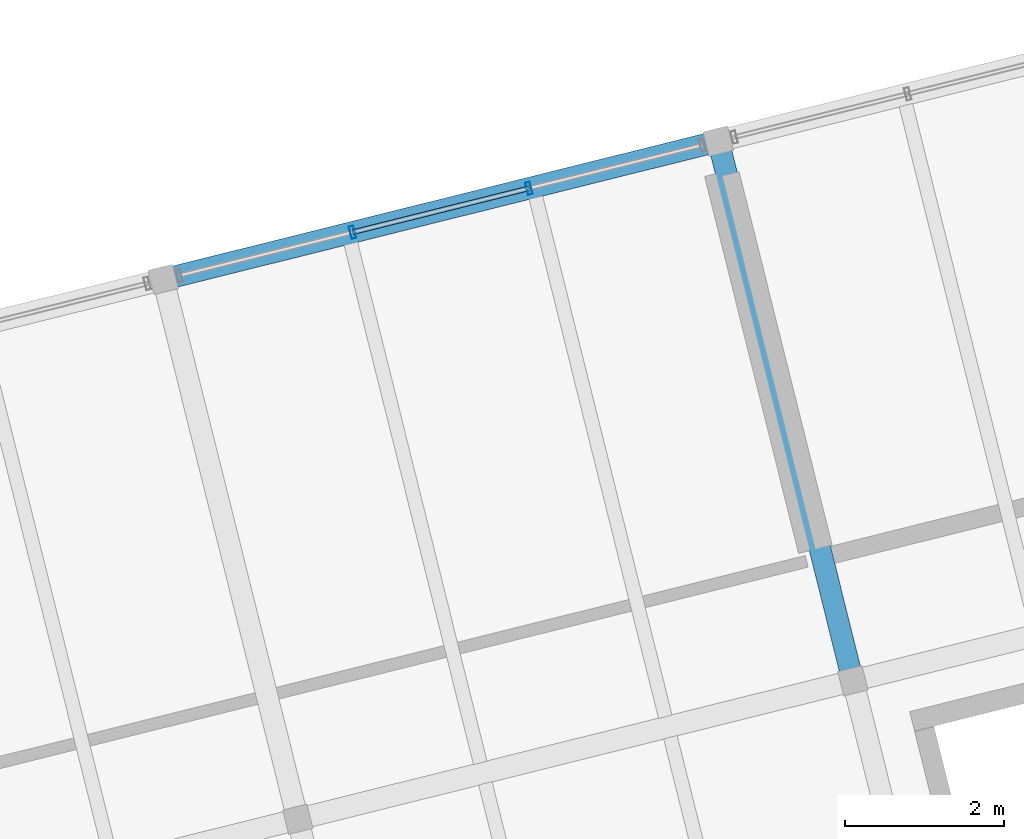
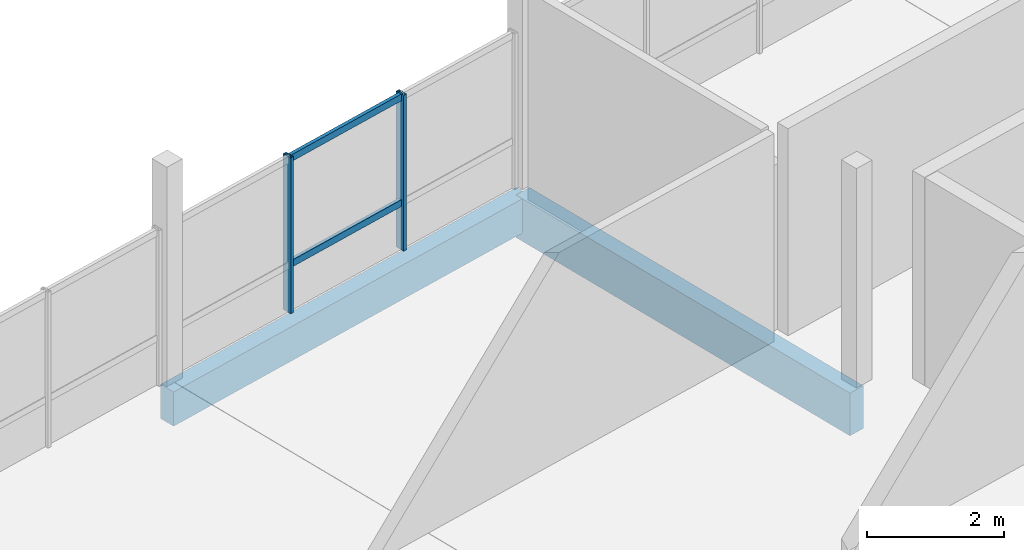
# One storey, part 14 of 25: 4 members, 2 beams, 1 element without a shape of its own.
"""IFC4 building model written with IfcOpenShell, lengths in metres."""

from ifc_helpers import new_model, si_unit, direction, frame, origin, origin_2d, place, context, subcontext, project, spatial, rectangle, hollow_rectangle, extrude, material, layer, layer_set, material_profile, profile_set, type_object, element, aggregate, save


model = new_model("IFC4")

# Units and contexts
model_context = context("Model", 3, precision=1e-05, world=origin(), true_north=direction((0.0, 1.0)))
body_context = subcontext(model_context, "Body", "Model", "MODEL_VIEW")
ifc_project = project(units=[si_unit("LENGTHUNIT", "METRE"), si_unit("AREAUNIT", "SQUARE_METRE"), si_unit("VOLUMEUNIT", "CUBIC_METRE"), si_unit("PLANEANGLEUNIT", "RADIAN"), si_unit("MASSUNIT", "GRAM", prefix="KILO")], contexts=[model_context])

# Site, building, storey
site_placement = place(None, origin())
site = spatial("IfcSite", under=ifc_project, at=site_placement, CompositionType="ELEMENT")
building_placement = place(site_placement, origin())
building = spatial("IfcBuilding", under=site, at=building_placement, Name="Meriwether Solvik Hall", CompositionType="ELEMENT")
storey_placement = place(building_placement, frame((0.0, 0.0, 53.39990234375)))
storey = spatial("IfcBuildingStorey", under=building, at=storey_placement, Name="L13", CompositionType="ELEMENT", Elevation=53.39990234375)

# Beams
ifc_material_1 = material(Name="Glulam Douglas-Fir 24F-V8 GL28h", Category="wood")
ifc_material_profile_1 = material_profile(ifc_material_1, rectangle(XDim=0.27294921875, YDim=0.610107421875, at=origin_2d()), Name="GLB-273X610")
ifc_profile_set_1 = profile_set([ifc_material_profile_1], Name="Glulam Douglas-Fir 24F-V8 GL28h")
beam_type_1 = type_object("IfcBeamType", Name="BM-GL-273X610", PredefinedType="SPANDREL", material=ifc_profile_set_1)
beam_1_placement = place(storey_placement, frame((76.1865234375, 71.94873046875, -0.48486328125), z_axis=(0.970291911955, 0.241937193493, 0.0), x_axis=(-0.241937193493, 0.970291911955, 0.0)))
element("IfcBeam", 1, at=beam_1_placement, inside=storey, type_object=beam_type_1, Name="Tower Girder TE:T3-T4 (L13)", PredefinedType="SPANDREL", context=body_context, shape_type="SweptSolid", body=[
    extrude(rectangle(XDim=0.27294921875, YDim=0.610107421875, at=origin_2d()), origin(), (0.0, 0.0, 1.0), 7.199951171875),
])
ifc_material_2 = material(Name="Glulam Douglas-Fir 24F-V8 GL28h", Category="wood")
ifc_material_profile_2 = material_profile(ifc_material_2, rectangle(XDim=0.27294921875, YDim=0.760009765625, at=origin_2d()), Name="GLB-273X760")
ifc_profile_set_2 = profile_set([ifc_material_profile_2], Name="Glulam Douglas-Fir 24F-V8 GL28h")
beam_type_2 = type_object("IfcBeamType", Name="BM-GL-273X760", PredefinedType="BEAM", material=ifc_profile_set_2)
beam_2_placement = place(storey_placement, frame((84.8662109375, 66.8984375, -0.559814453125), z_axis=(-0.241936527961, 0.970292077901, 0.0), x_axis=(-0.970292077901, -0.241936527961, 0.0)))
element("IfcBeam", 2, at=beam_2_placement, inside=storey, type_object=beam_type_2, Name="Tower Girder T4:TD-TE (L13)", PredefinedType="BEAM", context=body_context, shape_type="SweptSolid", body=[
    extrude(rectangle(XDim=0.27294921875, YDim=0.760009765625, at=origin_2d()), origin(), (0.0, 0.0, 1.0), 7.000244140625),
])

# Curtain wall, members
ifc_material_3 = material(Name="Thermally Broken Anodised Aluminium 6063-T6 and Low-E Glass", Category="aluminium")
ifc_layer = layer(ifc_material_3, 0.179931640625)
ifc_layer_set = layer_set([ifc_layer], Name="Thermally Broken Anodised Aluminium 6063-T6 and Low-E Glass")
curtain_wall_type = type_object("IfcCurtainWallType", Name="CW-UNIT-A", PredefinedType="USERDEFINED", material=ifc_layer_set)
curtain_wall_placement = place(storey_placement, origin())
curtain_wall = element("IfcCurtainWall", 3, at=curtain_wall_placement, inside=storey, type_object=curtain_wall_type, Name="Curtain Wall E2_B2 (L13)", ObjectType="UNITISED CURTAIN WALL", PredefinedType="USERDEFINED")
ifc_material_4 = material(Name="Anodised Aluminium 6063-T6", Category="aluminium")
ifc_material_profile_3 = material_profile(ifc_material_4, hollow_rectangle(XDim=0.06005859375, YDim=0.159912109375, WallThickness=0.00390625, at=origin_2d()), Name="CWM-60X160")
ifc_profile_set_3 = profile_set([ifc_material_profile_3], Name="Anodised Aluminium 6063-T6")
member_type_1 = type_object("IfcMemberType", Name="CW-MUL-60X160", PredefinedType="MULLION", material=ifc_profile_set_3)
member_1_placement = place(storey_placement, frame((78.570068359375, 72.54296875, 0.0), z_axis=(0.0, 0.0, 1.0), x_axis=(0.970295730764, 0.241921877598, 0.0)))
member_1 = element("IfcMember", 4, at=member_1_placement, type_object=member_type_1, Name="Curtain Wall Mullion 2", PredefinedType="MULLION", context=body_context, shape_type="SweptSolid", body=[
    extrude(hollow_rectangle(XDim=0.06005859375, YDim=0.159912109375, WallThickness=0.00390625, at=origin_2d()), origin(), (0.0, 0.0, 1.0), 2.77001953125),
])
member_2_placement = place(storey_placement, frame((80.7890625, 73.09619140625, 0.0), z_axis=(0.0, 0.0, 1.0), x_axis=(0.970295730764, 0.241921877598, 0.0)))
member_2 = element("IfcMember", 5, at=member_2_placement, type_object=member_type_1, Name="Curtain Wall Mullion 3", PredefinedType="MULLION", context=body_context, shape_type="SweptSolid", body=[
    extrude(hollow_rectangle(XDim=0.06005859375, YDim=0.159912109375, WallThickness=0.00390625, at=origin_2d()), origin(), (0.0, 0.0, 1.0), 2.77001953125),
])
ifc_material_5 = material(Name="Anodised Aluminium 6063-T6", Category="aluminium")
ifc_material_profile_4 = material_profile(ifc_material_5, hollow_rectangle(XDim=0.06005859375, YDim=0.1201171875, WallThickness=0.00390625, at=origin_2d()), Name="CWT-60X120")
ifc_profile_set_4 = profile_set([ifc_material_profile_4], Name="Anodised Aluminium 6063-T6")
member_type_2 = type_object("IfcMemberType", Name="CW-TRN-60X120", PredefinedType="USERDEFINED", material=ifc_profile_set_4)
member_3_placement = place(storey_placement, frame((78.570068359375, 72.54296875, 0.8310546875), z_axis=(0.97029929005, 0.241907601634, 0.0), x_axis=(-0.241907601634, 0.97029929005, 0.0)))
member_3 = element("IfcMember", 6, at=member_3_placement, type_object=member_type_2, Name="Curtain Wall Transom 2-sill", ObjectType="TRANSOM", PredefinedType="USERDEFINED", context=body_context, shape_type="SweptSolid", body=[
    extrude(hollow_rectangle(XDim=0.06005859375, YDim=0.1201171875, WallThickness=0.00390625, at=origin_2d()), origin(), (0.0, 0.0, 1.0), 2.286865234375),
])
member_4_placement = place(storey_placement, frame((78.570068359375, 72.54296875, 2.710205078125), z_axis=(0.97029929005, 0.241907601634, 0.0), x_axis=(-0.241907601634, 0.97029929005, 0.0)))
member_4 = element("IfcMember", 7, at=member_4_placement, type_object=member_type_2, Name="Curtain Wall Transom 2-head", ObjectType="TRANSOM", PredefinedType="USERDEFINED", context=body_context, shape_type="SweptSolid", body=[
    extrude(hollow_rectangle(XDim=0.06005859375, YDim=0.1201171875, WallThickness=0.00390625, at=origin_2d()), origin(), (0.0, 0.0, 1.0), 2.286865234375),
])
aggregate(curtain_wall, [member_1, member_2, member_3, member_4])

save(model, "model.ifc")
